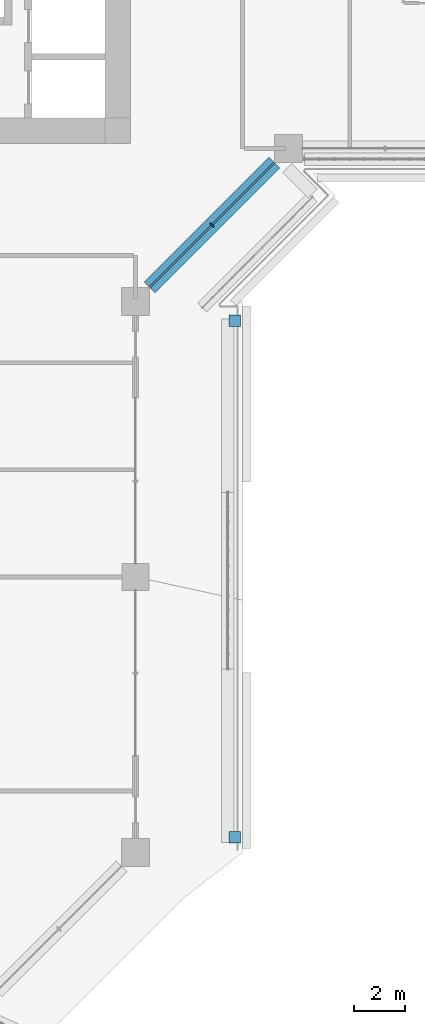
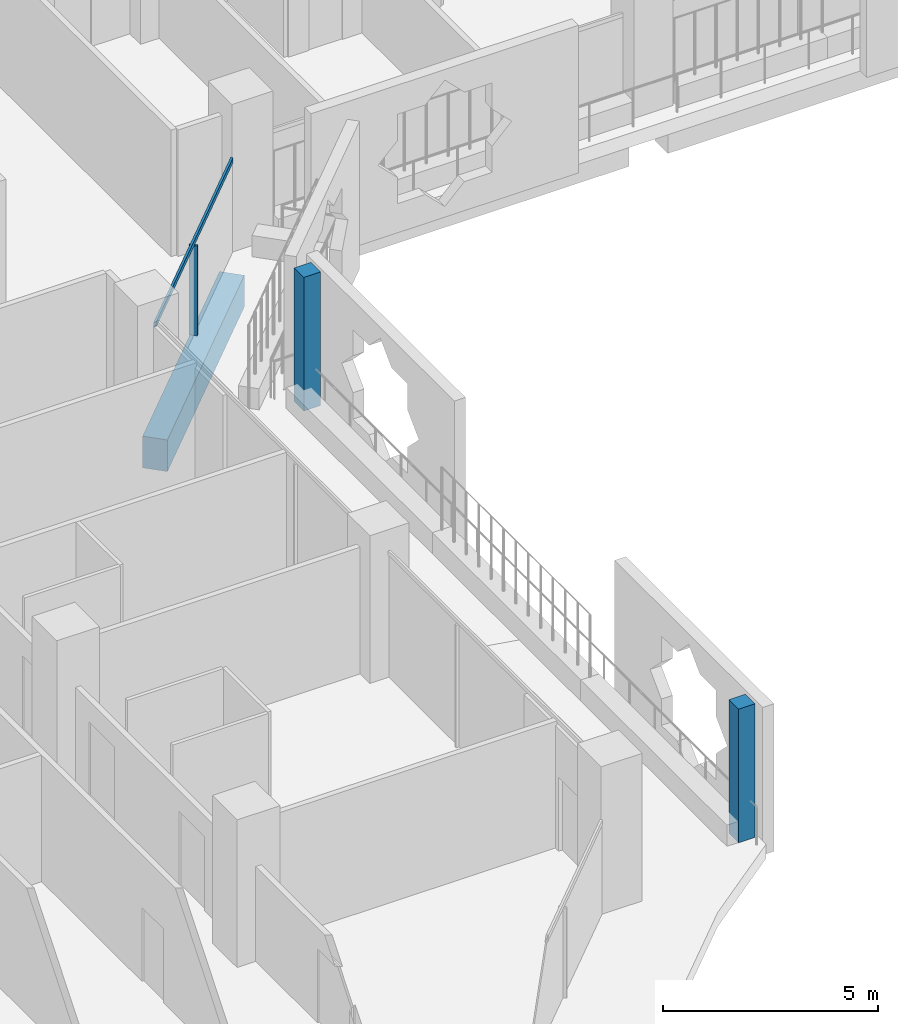
# One storey, part 4 of 25: 4 members, 1 beam, 2 elements without a shape of their own.
"""IFC4 building model written with IfcOpenShell, lengths in metres."""

from ifc_helpers import new_model, si_unit, direction, frame, origin, origin_2d, place, context, subcontext, project, spatial, rectangle, extrude, material, layer, layer_set, material_profile, profile_set, type_object, element, aggregate, save


model = new_model("IFC4")

# Units and contexts
model_context = context("Model", 3, precision=1e-05, world=origin(), true_north=direction((0.0, 1.0)))
body_context = subcontext(model_context, "Body", "Model", "MODEL_VIEW")
ifc_project = project(units=[si_unit("LENGTHUNIT", "METRE"), si_unit("AREAUNIT", "SQUARE_METRE"), si_unit("VOLUMEUNIT", "CUBIC_METRE"), si_unit("PLANEANGLEUNIT", "RADIAN"), si_unit("MASSUNIT", "GRAM", prefix="KILO")], contexts=[model_context])

# Site, building, storey
site_placement = place(None, origin())
site = spatial("IfcSite", under=ifc_project, at=site_placement, CompositionType="ELEMENT")
building_placement = place(site_placement, origin())
building = spatial("IfcBuilding", under=site, at=building_placement, Name="Kawkab Arch Medical Tower", CompositionType="ELEMENT")
storey_placement = place(building_placement, frame((0.0, 0.0, 140.800048828125)))
storey = spatial("IfcBuildingStorey", under=building, at=storey_placement, Name="L32", CompositionType="ELEMENT", Elevation=140.800048828125)

# Curtain wall, members
ifc_material_1 = material(Name="Bronze anodised aluminium curtain wall frame", Category="aluminium")
ifc_layer_1 = layer(ifc_material_1, 0.159912109375)
ifc_layer_set_1 = layer_set([ifc_layer_1], Name="Bronze anodised aluminium curtain wall frame")
curtain_wall_type_1 = type_object("IfcCurtainWallType", Name="CW2 chamfer curtain wall", PredefinedType="NOTDEFINED", material=ifc_layer_set_1)
placement = place(storey_placement, origin())
curtain_wall_1 = element("IfcCurtainWall", 1, at=placement, inside=storey, type_object=curtain_wall_type_1, Name="CW2 Chamfer curtain wall R06", PredefinedType="NOTDEFINED")
ifc_material_2 = material(Name="Bronze anodised aluminium curtain wall frame", Category="aluminium")
ifc_material_profile_1 = material_profile(ifc_material_2, rectangle(XDim=0.199951171875, YDim=0.06005859375, at=origin_2d()), Name="AL 60x200")
ifc_profile_set_1 = profile_set([ifc_material_profile_1], Name="Bronze anodised aluminium curtain wall frame")
member_type_1 = type_object("IfcMemberType", Name="CW2 mullion 60 x 200", PredefinedType="MULLION", material=ifc_profile_set_1)
member_1_placement = place(storey_placement, frame((28.199951171875, -28.199951171875, 0.0), z_axis=(0.0, 0.0, 1.0), x_axis=(-0.707106781187, 0.707106781187, 0.0)))
member_1 = element("IfcMember", 2, at=member_1_placement, type_object=member_type_1, Name="CW2 mullion 1.1", PredefinedType="MULLION", context=body_context, shape_type="SweptSolid", body=[
    extrude(rectangle(XDim=0.199951171875, YDim=0.06005859375, at=origin_2d()), origin(), (0.0, 0.0, 1.0), 2.56005859375),
])
ifc_material_3 = material(Name="Bronze anodised aluminium curtain wall frame", Category="aluminium")
ifc_material_profile_2 = material_profile(ifc_material_3, rectangle(XDim=0.06005859375, YDim=0.139892578125, at=origin_2d()), Name="AL 60x140")
ifc_profile_set_2 = profile_set([ifc_material_profile_2], Name="Bronze anodised aluminium curtain wall frame")
member_type_2 = type_object("IfcMemberType", Name="CW2 transom 140 x 60", PredefinedType="USERDEFINED", material=ifc_profile_set_2)
member_2_placement = place(storey_placement, frame((25.75, -30.64990234375, 2.6298828125), z_axis=(0.707106781187, 0.707106781187, 0.0), x_axis=(-0.707106781187, 0.707106781187, 0.0)))
member_2 = element("IfcMember", 3, at=member_2_placement, type_object=member_type_2, Name="CW2 transom 1", ObjectType="TRANSOM", PredefinedType="USERDEFINED", context=body_context, shape_type="SweptSolid", body=[
    extrude(rectangle(XDim=0.06005859375, YDim=0.139892578125, at=origin_2d()), origin(), (0.0, 0.0, 1.0), 6.929443359375),
])
aggregate(curtain_wall_1, [member_2, member_1])

ifc_material_4 = material(Name="Bronze anodised aluminium climber frame, planted", Category="aluminium")
ifc_layer_2 = layer(ifc_material_4, 0.449951171875)
ifc_layer_set_2 = layer_set([ifc_layer_2], Name="Bronze anodised aluminium climber frame, planted")
curtain_wall_type_2 = type_object("IfcCurtainWallType", Name="Planted climber frame", PredefinedType="NOTDEFINED", material=ifc_layer_set_2)
curtain_wall_2 = element("IfcCurtainWall", 4, at=placement, inside=storey, type_object=curtain_wall_type_2, Name="Planted climber frame L32", PredefinedType="NOTDEFINED")
ifc_material_5 = material(Name="Bronze anodised aluminium climber frame, planted", Category="aluminium")
ifc_material_profile_3 = material_profile(ifc_material_5, rectangle(XDim=0.449951171875, YDim=0.449951171875, at=origin_2d()), Name="Post 450x450")
ifc_profile_set_3 = profile_set([ifc_material_profile_3], Name="Bronze anodised aluminium climber frame, planted")
member_type_3 = type_object("IfcMemberType", Name="Planted climber post 450 x 450", PredefinedType="MULLION", material=ifc_profile_set_3)
member_3_placement = place(storey_placement, frame((29.10009765625, -31.949951171875, 0.0), z_axis=(0.0, 0.0, 1.0), x_axis=(1.0, 0.0, 0.0)))
member_3 = element("IfcMember", 5, at=member_3_placement, type_object=member_type_3, Name="Planted climber post L32.LOG-01-01.5", PredefinedType="MULLION", context=body_context, shape_type="SweptSolid", body=[
    extrude(rectangle(XDim=0.449951171875, YDim=0.449951171875, at=origin_2d()), origin(), (0.0, 0.0, 1.0), 3.800048828125),
])
member_4_placement = place(storey_placement, frame((29.10009765625, -52.202880859375, 0.0), z_axis=(0.0, 0.0, 1.0), x_axis=(1.0, 0.0, 0.0)))
member_4 = element("IfcMember", 6, at=member_4_placement, type_object=member_type_3, Name="Planted climber post L32.LOG-01-01.6", PredefinedType="MULLION", context=body_context, shape_type="SweptSolid", body=[
    extrude(rectangle(XDim=0.449951171875, YDim=0.449951171875, at=origin_2d()), origin(), (0.0, 0.0, 1.0), 3.800048828125),
])
aggregate(curtain_wall_2, [member_3, member_4])

# Beam
ifc_material_6 = material(Name="Concrete C55/67", Category="concrete")
ifc_material_profile_4 = material_profile(ifc_material_6, rectangle(XDim=0.60009765625, YDim=0.89990234375, at=origin_2d()), Name="RC 600x900")
ifc_profile_set_4 = profile_set([ifc_material_profile_4], Name="Concrete C55/67")
beam_type = type_object("IfcBeamType", Name="RC 600x900 beam C55/67", PredefinedType="BEAM", material=ifc_profile_set_4)
beam_placement = place(storey_placement, frame((30.64990234375, -25.75, -1.050048828125), z_axis=(-0.707106781187, -0.707106781187, 0.0), x_axis=(0.707106781187, -0.707106781187, 0.0)))
element("IfcBeam", 7, at=beam_placement, inside=storey, type_object=beam_type, Name="Overhang edge beam L32-06", PredefinedType="BEAM", context=body_context, shape_type="SweptSolid", body=[
    extrude(rectangle(XDim=0.60009765625, YDim=0.89990234375, at=origin_2d()), origin(), (0.0, 0.0, 1.0), 6.929443359375),
])

save(model, "model.ifc")
